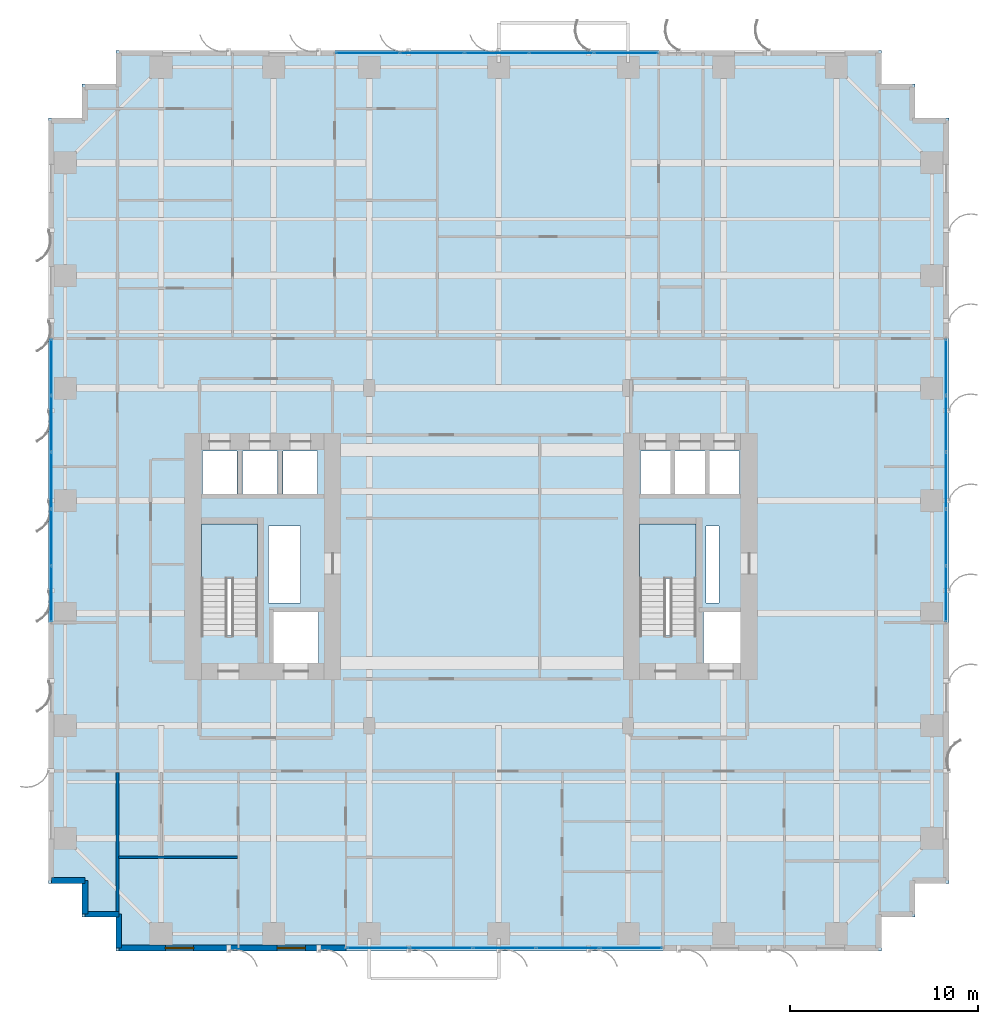
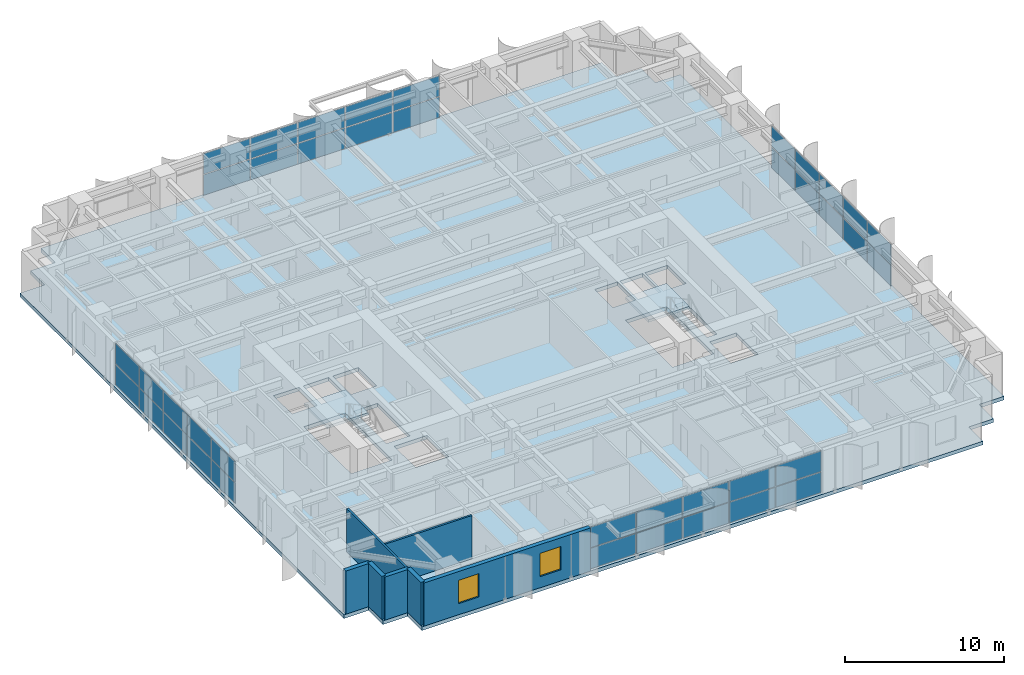
# One storey, part 16 of 25: 40 plates, 7 walls, 3 slabs, 2 windows, 2 openings, 6 elements without a shape of their own.
"""IFC4 building model written with IfcOpenShell, lengths in metres."""

from ifc_helpers import new_model, si_unit, direction, frame, frame_2d, origin, origin_2d, place, context, subcontext, project, spatial, polyline, rectangle, outline, extrude, source, transform, mapped, material, layer, layer_set, type_object, element, fill, aggregate, save


model = new_model("IFC4")

# Units and contexts
model_context = context("Model", 3, precision=1e-05, world=origin(), true_north=direction((0.0, 1.0)))
body_context = subcontext(model_context, "Body", "Model", "MODEL_VIEW")
ifc_project = project(units=[si_unit("LENGTHUNIT", "METRE"), si_unit("AREAUNIT", "SQUARE_METRE"), si_unit("VOLUMEUNIT", "CUBIC_METRE"), si_unit("PLANEANGLEUNIT", "RADIAN"), si_unit("MASSUNIT", "GRAM", prefix="KILO")], contexts=[model_context])

# Site, building, storey
site_placement = place(None, origin())
site = spatial("IfcSite", under=ifc_project, at=site_placement, CompositionType="ELEMENT")
building_placement = place(site_placement, origin())
building = spatial("IfcBuilding", under=site, at=building_placement, Name="Khoralis Quay Care Tower", CompositionType="ELEMENT")
storey_placement = place(building_placement, frame((0.0, 0.0, 65.699951171875)))
storey = spatial("IfcBuildingStorey", under=building, at=storey_placement, Name="L17", CompositionType="ELEMENT", Elevation=65.699951171875)

# Stair, slab
ifc_material_1 = material(Name="Precast concrete C45/55", Category="concrete")
stair_type = type_object("IfcStairType", Name="ST-TWR-DOGLEG-1400", PredefinedType="HALF_TURN_STAIR", material=ifc_material_1)
stair_1_placement = place(storey_placement, origin())
stair_1 = element("IfcStair", 1, at=stair_1_placement, inside=storey, type_object=stair_type, Name="L17 West Core Exit Stair ST-T1", PredefinedType="HALF_TURN_STAIR")
ifc_layer_1 = layer(ifc_material_1, 0.199951171875)
ifc_layer_set_1 = layer_set([ifc_layer_1], Name="Precast concrete C45/55")
slab_type_1 = type_object("IfcSlabType", Name="SLB-LANDING-200", PredefinedType="LANDING", material=ifc_layer_set_1)
slab_1_placement = place(storey_placement, frame((0.0, 0.0, 1.60009765625)))
slab_1 = element("IfcSlab", 2, at=slab_1_placement, type_object=slab_type_1, Name="ST-T1 landing 1", PredefinedType="LANDING", context=body_context, shape_type="SweptSolid", body=[
    extrude(outline(polyline([(11.14990234375, 19.840087890625), (11.14990234375, 22.75), (8.14990234375, 22.75), (8.14990234375, 19.840087890625), (11.14990234375, 19.840087890625)])), origin(), (0.0, 0.0, 1.0), 0.199951171875),
])
aggregate(stair_1, [slab_1])

stair_2_placement = place(storey_placement, origin())
stair_2 = element("IfcStair", 3, at=stair_2_placement, inside=storey, type_object=stair_type, Name="L17 East Core Exit Stair ST-T2", PredefinedType="HALF_TURN_STAIR")
slab_2_placement = place(storey_placement, frame((0.0, 0.0, 1.60009765625)))
slab_2 = element("IfcSlab", 4, at=slab_2_placement, type_object=slab_type_1, Name="ST-T2 landing 1", PredefinedType="LANDING", context=body_context, shape_type="SweptSolid", body=[
    extrude(outline(polyline([(34.52001953125, 19.840087890625), (34.52001953125, 22.75), (31.52001953125, 22.75), (31.52001953125, 19.840087890625), (34.52001953125, 19.840087890625)])), origin(), (0.0, 0.0, 1.0), 0.199951171875),
])
aggregate(stair_2, [slab_2])

# Slab
ifc_material_2 = material(Name="Concrete C40/50", Category="concrete")
ifc_layer_2 = layer(ifc_material_2, 0.280029296875)
ifc_layer_set_2 = layer_set([ifc_layer_2], Name="Concrete C40/50")
slab_type_2 = type_object("IfcSlabType", Name="SLB-TWR-280", PredefinedType="FLOOR", material=ifc_layer_set_2)
slab_3_placement = place(storey_placement, frame((0.0, 0.0, -0.280029296875)))
element("IfcSlab", 5, at=slab_3_placement, inside=storey, type_object=slab_type_2, Name="Tower Floor Slab L17", PredefinedType="FLOOR", context=body_context, shape_type="SweptSolid", body=[
    extrude(outline(polyline([(3.60009765625, 0.0), (44.39990234375, 0.0), (44.39990234375, 1.800048828125), (46.199951171875, 1.800048828125), (46.199951171875, 3.60009765625), (48.0, 3.60009765625), (48.0, 44.39990234375), (46.199951171875, 44.39990234375), (46.199951171875, 46.199951171875), (44.39990234375, 46.199951171875), (44.39990234375, 48.0), (3.60009765625, 48.0), (3.60009765625, 46.199951171875), (1.800048828125, 46.199951171875), (1.800048828125, 44.39990234375), (0.0, 44.39990234375), (0.0, 3.60009765625), (1.800048828125, 3.60009765625), (1.800048828125, 1.800048828125), (3.60009765625, 1.800048828125), (3.60009765625, 0.0)]), holes=[polyline([(11.14990234375, 16.800048828125), (11.14990234375, 22.75), (8.14990234375, 22.75), (8.14990234375, 16.800048828125), (11.14990234375, 16.800048828125)]), polyline([(34.52001953125, 16.800048828125), (34.52001953125, 22.75), (31.52001953125, 22.75), (31.52001953125, 16.800048828125), (34.52001953125, 16.800048828125)]), polyline([(12.0, 15.35009765625), (14.39990234375, 15.35009765625), (14.39990234375, 18.050048828125), (12.0, 18.050048828125), (12.0, 15.35009765625)]), polyline([(34.919921875, 15.35009765625), (36.8798828125, 15.35009765625), (36.8798828125, 18.050048828125), (34.919921875, 18.050048828125), (34.919921875, 15.35009765625)]), polyline([(8.199951171875, 24.35009765625), (10.050048828125, 24.35009765625), (10.050048828125, 26.64990234375), (8.199951171875, 26.64990234375), (8.199951171875, 24.35009765625)]), polyline([(31.550048828125, 24.35009765625), (33.199951171875, 24.35009765625), (33.199951171875, 26.64990234375), (31.550048828125, 26.64990234375), (31.550048828125, 24.35009765625)]), polyline([(10.35009765625, 24.35009765625), (12.199951171875, 24.35009765625), (12.199951171875, 26.64990234375), (10.35009765625, 26.64990234375), (10.35009765625, 24.35009765625)]), polyline([(33.3798828125, 24.35009765625), (35.030029296875, 24.35009765625), (35.030029296875, 26.64990234375), (33.3798828125, 26.64990234375), (33.3798828125, 24.35009765625)]), polyline([(12.5, 24.35009765625), (14.35009765625, 24.35009765625), (14.35009765625, 26.64990234375), (12.5, 26.64990234375), (12.5, 24.35009765625)]), polyline([(35.199951171875, 24.35009765625), (36.85009765625, 24.35009765625), (36.85009765625, 26.64990234375), (35.199951171875, 26.64990234375), (35.199951171875, 24.35009765625)]), polyline([(11.719970703125, 18.550048828125), (13.449951171875, 18.550048828125), (13.449951171875, 22.64990234375), (11.719970703125, 22.64990234375), (11.719970703125, 18.550048828125)]), polyline([(35.050048828125, 18.550048828125), (35.75, 18.550048828125), (35.75, 22.64990234375), (35.050048828125, 22.64990234375), (35.050048828125, 18.550048828125)])]), origin(), (0.0, 0.0, 1.0), 0.280029296875),
])

# Curtain wall, plates
ifc_material_3 = material(Name="Pale anodised aluminium", Category="aluminium")
ifc_layer_3 = layer(ifc_material_3, 0.179931640625)
ifc_layer_set_3 = layer_set([ifc_layer_3], Name="Pale anodised aluminium")
curtain_wall_type = type_object("IfcCurtainWallType", Name="CW-SYS-Z1", PredefinedType="NOTDEFINED", material=ifc_layer_set_3)
curtain_wall_1_placement = place(storey_placement, origin())
curtain_wall_1 = element("IfcCurtainWall", 6, at=curtain_wall_1_placement, inside=storey, type_object=curtain_wall_type, Name="L17 Unitised Curtain Wall CW-L17-P1-E5", PredefinedType="NOTDEFINED")
ifc_material_4 = material(Name="Low-E solar-control double glazing", Category="glass")
ifc_layer_4 = layer(ifc_material_4, 0.031982421875)
ifc_layer_set_4 = layer_set([ifc_layer_4], Name="Low-E solar-control double glazing")
plate_type = type_object("IfcPlateType", Name="PNL-VIS-32", PredefinedType="CURTAIN_PANEL", material=ifc_layer_set_4)
shared_shape_1 = source(origin(), body_context, "Body", "SweptSolid", [
    extrude(rectangle(XDim=2.93798828125, YDim=0.028076171875, at=origin_2d()), origin(), (0.0, 0.0, 1.0), 1.570068359375),
])
plate_1_placement = place(storey_placement, frame((47.85009765625, 19.029052734375, 0.06005859375), z_axis=(0.0, 0.0, 1.0), x_axis=(0.0, 1.0, 0.0)))
plate_1 = element("IfcPlate", 7, at=plate_1_placement, type_object=plate_type, Name="CW1 panel 1.1", PredefinedType="CURTAIN_PANEL", context=body_context, shape_type="MappedRepresentation", body=[
    mapped(shared_shape_1, transform((0.0, 0.0, 0.0), scale=1.0)),
])
plate_2_placement = place(storey_placement, frame((47.85009765625, 19.029052734375, 1.68994140625), z_axis=(0.0, 0.0, 1.0), x_axis=(0.0, 1.0, 0.0)))
plate_2 = element("IfcPlate", 8, at=plate_2_placement, type_object=plate_type, Name="CW1 panel 1.2", PredefinedType="CURTAIN_PANEL", context=body_context, shape_type="MappedRepresentation", body=[
    mapped(shared_shape_1, transform((0.0, 0.0, 0.0), scale=1.0)),
])
plate_3_placement = place(storey_placement, frame((47.85009765625, 31.111083984375, 0.06005859375), z_axis=(0.0, 0.0, 1.0), x_axis=(0.0, 1.0, 0.0)))
plate_3 = element("IfcPlate", 9, at=plate_3_placement, type_object=plate_type, Name="CW1 panel 5.1", PredefinedType="CURTAIN_PANEL", context=body_context, shape_type="MappedRepresentation", body=[
    mapped(shared_shape_1, transform((0.0, 0.0, 0.0), scale=1.0)),
])
plate_4_placement = place(storey_placement, frame((47.85009765625, 31.111083984375, 1.68994140625), z_axis=(0.0, 0.0, 1.0), x_axis=(0.0, 1.0, 0.0)))
plate_4 = element("IfcPlate", 10, at=plate_4_placement, type_object=plate_type, Name="CW1 panel 5.2", PredefinedType="CURTAIN_PANEL", context=body_context, shape_type="MappedRepresentation", body=[
    mapped(shared_shape_1, transform((0.0, 0.0, 0.0), scale=1.0)),
])

curtain_wall_2_placement = place(storey_placement, origin())
curtain_wall_2 = element("IfcCurtainWall", 11, at=curtain_wall_2_placement, inside=storey, type_object=curtain_wall_type, Name="L17 Unitised Curtain Wall CW-L17-P1-E15", PredefinedType="NOTDEFINED")
plate_5_placement = place(storey_placement, frame((0.14990234375, 31.111083984375, 0.06005859375), z_axis=(0.0, 0.0, 1.0), x_axis=(0.0, -1.0, 0.0)))
plate_5 = element("IfcPlate", 12, at=plate_5_placement, type_object=plate_type, Name="CW1 panel 1.1", PredefinedType="CURTAIN_PANEL", context=body_context, shape_type="MappedRepresentation", body=[
    mapped(shared_shape_1, transform((0.0, 0.0, 0.0), scale=1.0)),
])
plate_6_placement = place(storey_placement, frame((0.14990234375, 31.111083984375, 1.68994140625), z_axis=(0.0, 0.0, 1.0), x_axis=(0.0, -1.0, 0.0)))
plate_6 = element("IfcPlate", 13, at=plate_6_placement, type_object=plate_type, Name="CW1 panel 1.2", PredefinedType="CURTAIN_PANEL", context=body_context, shape_type="MappedRepresentation", body=[
    mapped(shared_shape_1, transform((0.0, 0.0, 0.0), scale=1.0)),
])
plate_7_placement = place(storey_placement, frame((0.14990234375, 19.029052734375, 0.06005859375), z_axis=(0.0, 0.0, 1.0), x_axis=(0.0, -1.0, 0.0)))
plate_7 = element("IfcPlate", 14, at=plate_7_placement, type_object=plate_type, Name="CW1 panel 5.1", PredefinedType="CURTAIN_PANEL", context=body_context, shape_type="MappedRepresentation", body=[
    mapped(shared_shape_1, transform((0.0, 0.0, 0.0), scale=1.0)),
])
plate_8_placement = place(storey_placement, frame((0.14990234375, 19.029052734375, 1.68994140625), z_axis=(0.0, 0.0, 1.0), x_axis=(0.0, -1.0, 0.0)))
plate_8 = element("IfcPlate", 15, at=plate_8_placement, type_object=plate_type, Name="CW1 panel 5.2", PredefinedType="CURTAIN_PANEL", context=body_context, shape_type="MappedRepresentation", body=[
    mapped(shared_shape_1, transform((0.0, 0.0, 0.0), scale=1.0)),
])

# Plate
shared_shape_2 = source(origin(), body_context, "Body", "SweptSolid", [
    extrude(rectangle(XDim=2.968017578125, YDim=0.028076171875, at=origin_2d()), origin(), (0.0, 0.0, 1.0), 1.570068359375),
])
plate_9_placement = place(storey_placement, frame((47.85009765625, 22.0419921875, 0.06005859375), z_axis=(0.0, 0.0, 1.0), x_axis=(0.0, 1.0, 0.0)))
plate_9 = element("IfcPlate", 16, at=plate_9_placement, type_object=plate_type, Name="CW1 panel 2.1", PredefinedType="CURTAIN_PANEL", context=body_context, shape_type="MappedRepresentation", body=[
    mapped(shared_shape_2, transform((0.0, 0.0, 0.0), scale=1.0)),
])

plate_10_placement = place(storey_placement, frame((47.85009765625, 22.0419921875, 1.68994140625), z_axis=(0.0, 0.0, 1.0), x_axis=(0.0, 1.0, 0.0)))
plate_10 = element("IfcPlate", 17, at=plate_10_placement, type_object=plate_type, Name="CW1 panel 2.2", PredefinedType="CURTAIN_PANEL", context=body_context, shape_type="MappedRepresentation", body=[
    mapped(shared_shape_2, transform((0.0, 0.0, 0.0), scale=1.0)),
])

plate_11_placement = place(storey_placement, frame((47.85009765625, 25.070068359375, 0.06005859375), z_axis=(0.0, 0.0, 1.0), x_axis=(0.0, 1.0, 0.0)))
plate_11 = element("IfcPlate", 18, at=plate_11_placement, type_object=plate_type, Name="CW1 panel 3.1", PredefinedType="CURTAIN_PANEL", context=body_context, shape_type="MappedRepresentation", body=[
    mapped(shared_shape_2, transform((0.0, 0.0, 0.0), scale=1.0)),
])

plate_12_placement = place(storey_placement, frame((47.85009765625, 25.070068359375, 1.68994140625), z_axis=(0.0, 0.0, 1.0), x_axis=(0.0, 1.0, 0.0)))
plate_12 = element("IfcPlate", 19, at=plate_12_placement, type_object=plate_type, Name="CW1 panel 3.2", PredefinedType="CURTAIN_PANEL", context=body_context, shape_type="MappedRepresentation", body=[
    mapped(shared_shape_2, transform((0.0, 0.0, 0.0), scale=1.0)),
])

plate_13_placement = place(storey_placement, frame((47.85009765625, 28.097900390625, 0.06005859375), z_axis=(0.0, 0.0, 1.0), x_axis=(0.0, 1.0, 0.0)))
plate_13 = element("IfcPlate", 20, at=plate_13_placement, type_object=plate_type, Name="CW1 panel 4.1", PredefinedType="CURTAIN_PANEL", context=body_context, shape_type="MappedRepresentation", body=[
    mapped(shared_shape_2, transform((0.0, 0.0, 0.0), scale=1.0)),
])

plate_14_placement = place(storey_placement, frame((47.85009765625, 28.097900390625, 1.68994140625), z_axis=(0.0, 0.0, 1.0), x_axis=(0.0, 1.0, 0.0)))
plate_14 = element("IfcPlate", 21, at=plate_14_placement, type_object=plate_type, Name="CW1 panel 4.2", PredefinedType="CURTAIN_PANEL", context=body_context, shape_type="MappedRepresentation", body=[
    mapped(shared_shape_2, transform((0.0, 0.0, 0.0), scale=1.0)),
])

aggregate(curtain_wall_1, [plate_1, plate_2, plate_9, plate_10, plate_11, plate_12, plate_13, plate_14, plate_3, plate_4])

plate_15_placement = place(storey_placement, frame((0.14990234375, 28.097900390625, 0.06005859375), z_axis=(0.0, 0.0, 1.0), x_axis=(0.0, -1.0, 0.0)))
plate_15 = element("IfcPlate", 22, at=plate_15_placement, type_object=plate_type, Name="CW1 panel 2.1", PredefinedType="CURTAIN_PANEL", context=body_context, shape_type="MappedRepresentation", body=[
    mapped(shared_shape_2, transform((0.0, 0.0, 0.0), scale=1.0)),
])

plate_16_placement = place(storey_placement, frame((0.14990234375, 28.097900390625, 1.68994140625), z_axis=(0.0, 0.0, 1.0), x_axis=(0.0, -1.0, 0.0)))
plate_16 = element("IfcPlate", 23, at=plate_16_placement, type_object=plate_type, Name="CW1 panel 2.2", PredefinedType="CURTAIN_PANEL", context=body_context, shape_type="MappedRepresentation", body=[
    mapped(shared_shape_2, transform((0.0, 0.0, 0.0), scale=1.0)),
])

plate_17_placement = place(storey_placement, frame((0.14990234375, 25.070068359375, 0.06005859375), z_axis=(0.0, 0.0, 1.0), x_axis=(0.0, -1.0, 0.0)))
plate_17 = element("IfcPlate", 24, at=plate_17_placement, type_object=plate_type, Name="CW1 panel 3.1", PredefinedType="CURTAIN_PANEL", context=body_context, shape_type="MappedRepresentation", body=[
    mapped(shared_shape_2, transform((0.0, 0.0, 0.0), scale=1.0)),
])

plate_18_placement = place(storey_placement, frame((0.14990234375, 25.070068359375, 1.68994140625), z_axis=(0.0, 0.0, 1.0), x_axis=(0.0, -1.0, 0.0)))
plate_18 = element("IfcPlate", 25, at=plate_18_placement, type_object=plate_type, Name="CW1 panel 3.2", PredefinedType="CURTAIN_PANEL", context=body_context, shape_type="MappedRepresentation", body=[
    mapped(shared_shape_2, transform((0.0, 0.0, 0.0), scale=1.0)),
])

plate_19_placement = place(storey_placement, frame((0.14990234375, 22.0419921875, 0.06005859375), z_axis=(0.0, 0.0, 1.0), x_axis=(0.0, -1.0, 0.0)))
plate_19 = element("IfcPlate", 26, at=plate_19_placement, type_object=plate_type, Name="CW1 panel 4.1", PredefinedType="CURTAIN_PANEL", context=body_context, shape_type="MappedRepresentation", body=[
    mapped(shared_shape_2, transform((0.0, 0.0, 0.0), scale=1.0)),
])

plate_20_placement = place(storey_placement, frame((0.14990234375, 22.0419921875, 1.68994140625), z_axis=(0.0, 0.0, 1.0), x_axis=(0.0, -1.0, 0.0)))
plate_20 = element("IfcPlate", 27, at=plate_20_placement, type_object=plate_type, Name="CW1 panel 4.2", PredefinedType="CURTAIN_PANEL", context=body_context, shape_type="MappedRepresentation", body=[
    mapped(shared_shape_2, transform((0.0, 0.0, 0.0), scale=1.0)),
])

aggregate(curtain_wall_2, [plate_5, plate_6, plate_15, plate_16, plate_17, plate_18, plate_19, plate_20, plate_7, plate_8])

# Curtain wall, plates
curtain_wall_3_placement = place(storey_placement, origin())
curtain_wall_3 = element("IfcCurtainWall", 28, at=curtain_wall_3_placement, inside=storey, type_object=curtain_wall_type, Name="L17 Unitised Curtain Wall CW-L17-P1-E0", PredefinedType="NOTDEFINED")
shared_shape_3 = source(origin(), body_context, "Body", "SweptSolid", [
    extrude(rectangle(XDim=3.290283203125, YDim=0.028076171875, at=origin_2d()), origin(), (0.0, 0.0, 1.0), 1.570068359375),
])
plate_21_placement = place(storey_placement, frame((17.564208984375, 0.14990234375, 0.06005859375), z_axis=(0.0, 0.0, 1.0), x_axis=(1.0, 0.0, 0.0)))
plate_21 = element("IfcPlate", 29, at=plate_21_placement, type_object=plate_type, Name="CW1 panel 1.1", PredefinedType="CURTAIN_PANEL", context=body_context, shape_type="MappedRepresentation", body=[
    mapped(shared_shape_3, transform((0.0, 0.0, 0.0), scale=1.0)),
])
plate_22_placement = place(storey_placement, frame((17.564208984375, 0.14990234375, 1.68994140625), z_axis=(0.0, 0.0, 1.0), x_axis=(1.0, 0.0, 0.0)))
plate_22 = element("IfcPlate", 30, at=plate_22_placement, type_object=plate_type, Name="CW1 panel 1.2", PredefinedType="CURTAIN_PANEL", context=body_context, shape_type="MappedRepresentation", body=[
    mapped(shared_shape_3, transform((0.0, 0.0, 0.0), scale=1.0)),
])
plate_23_placement = place(storey_placement, frame((31.054931640625, 0.14990234375, 0.06005859375), z_axis=(0.0, 0.0, 1.0), x_axis=(1.0, 0.0, 0.0)))
plate_23 = element("IfcPlate", 31, at=plate_23_placement, type_object=plate_type, Name="CW1 panel 5.1", PredefinedType="CURTAIN_PANEL", context=body_context, shape_type="MappedRepresentation", body=[
    mapped(shared_shape_3, transform((0.0, 0.0, 0.0), scale=1.0)),
])
plate_24_placement = place(storey_placement, frame((31.054931640625, 0.14990234375, 1.68994140625), z_axis=(0.0, 0.0, 1.0), x_axis=(1.0, 0.0, 0.0)))
plate_24 = element("IfcPlate", 32, at=plate_24_placement, type_object=plate_type, Name="CW1 panel 5.2", PredefinedType="CURTAIN_PANEL", context=body_context, shape_type="MappedRepresentation", body=[
    mapped(shared_shape_3, transform((0.0, 0.0, 0.0), scale=1.0)),
])
shared_shape_4 = source(origin(), body_context, "Body", "SweptSolid", [
    extrude(rectangle(XDim=3.3203125, YDim=0.028076171875, at=origin_2d()), origin(), (0.0, 0.0, 1.0), 1.570068359375),
])
plate_25_placement = place(storey_placement, frame((20.92919921875, 0.14990234375, 0.06005859375), z_axis=(0.0, 0.0, 1.0), x_axis=(1.0, 0.0, 0.0)))
plate_25 = element("IfcPlate", 33, at=plate_25_placement, type_object=plate_type, Name="CW1 panel 2.1", PredefinedType="CURTAIN_PANEL", context=body_context, shape_type="MappedRepresentation", body=[
    mapped(shared_shape_4, transform((0.0, 0.0, 0.0), scale=1.0)),
])
plate_26_placement = place(storey_placement, frame((20.92919921875, 0.14990234375, 1.68994140625), z_axis=(0.0, 0.0, 1.0), x_axis=(1.0, 0.0, 0.0)))
plate_26 = element("IfcPlate", 34, at=plate_26_placement, type_object=plate_type, Name="CW1 panel 2.2", PredefinedType="CURTAIN_PANEL", context=body_context, shape_type="MappedRepresentation", body=[
    mapped(shared_shape_4, transform((0.0, 0.0, 0.0), scale=1.0)),
])
plate_27_placement = place(storey_placement, frame((24.3095703125, 0.14990234375, 0.06005859375), z_axis=(0.0, 0.0, 1.0), x_axis=(1.0, 0.0, 0.0)))
plate_27 = element("IfcPlate", 35, at=plate_27_placement, type_object=plate_type, Name="CW1 panel 3.1", PredefinedType="CURTAIN_PANEL", context=body_context, shape_type="MappedRepresentation", body=[
    mapped(shared_shape_4, transform((0.0, 0.0, 0.0), scale=1.0)),
])
plate_28_placement = place(storey_placement, frame((24.3095703125, 0.14990234375, 1.68994140625), z_axis=(0.0, 0.0, 1.0), x_axis=(1.0, 0.0, 0.0)))
plate_28 = element("IfcPlate", 36, at=plate_28_placement, type_object=plate_type, Name="CW1 panel 3.2", PredefinedType="CURTAIN_PANEL", context=body_context, shape_type="MappedRepresentation", body=[
    mapped(shared_shape_4, transform((0.0, 0.0, 0.0), scale=1.0)),
])
plate_29_placement = place(storey_placement, frame((27.689697265625, 0.14990234375, 0.06005859375), z_axis=(0.0, 0.0, 1.0), x_axis=(1.0, 0.0, 0.0)))
plate_29 = element("IfcPlate", 37, at=plate_29_placement, type_object=plate_type, Name="CW1 panel 4.1", PredefinedType="CURTAIN_PANEL", context=body_context, shape_type="MappedRepresentation", body=[
    mapped(shared_shape_4, transform((0.0, 0.0, 0.0), scale=1.0)),
])
plate_30_placement = place(storey_placement, frame((27.689697265625, 0.14990234375, 1.68994140625), z_axis=(0.0, 0.0, 1.0), x_axis=(1.0, 0.0, 0.0)))
plate_30 = element("IfcPlate", 38, at=plate_30_placement, type_object=plate_type, Name="CW1 panel 4.2", PredefinedType="CURTAIN_PANEL", context=body_context, shape_type="MappedRepresentation", body=[
    mapped(shared_shape_4, transform((0.0, 0.0, 0.0), scale=1.0)),
])
aggregate(curtain_wall_3, [plate_21, plate_22, plate_25, plate_26, plate_27, plate_28, plate_29, plate_30, plate_23, plate_24])

curtain_wall_4_placement = place(storey_placement, origin())
curtain_wall_4 = element("IfcCurtainWall", 39, at=curtain_wall_4_placement, inside=storey, type_object=curtain_wall_type, Name="L17 Unitised Curtain Wall CW-L17-P1-E10", PredefinedType="NOTDEFINED")
shared_shape_5 = source(origin(), body_context, "Body", "SweptSolid", [
    extrude(rectangle(XDim=3.36328125, YDim=0.028076171875, at=origin_2d()), origin(), (0.0, 0.0, 1.0), 1.570068359375),
])
plate_31_placement = place(storey_placement, frame((30.79833984375, 47.85009765625, 0.06005859375), z_axis=(0.0, 0.0, 1.0), x_axis=(-1.0, 0.0, 0.0)))
plate_31 = element("IfcPlate", 40, at=plate_31_placement, type_object=plate_type, Name="CW1 panel 1.1", PredefinedType="CURTAIN_PANEL", context=body_context, shape_type="MappedRepresentation", body=[
    mapped(shared_shape_5, transform((0.0, 0.0, 0.0), scale=1.0)),
])
plate_32_placement = place(storey_placement, frame((30.79833984375, 47.85009765625, 1.68994140625), z_axis=(0.0, 0.0, 1.0), x_axis=(-1.0, 0.0, 0.0)))
plate_32 = element("IfcPlate", 41, at=plate_32_placement, type_object=plate_type, Name="CW1 panel 1.2", PredefinedType="CURTAIN_PANEL", context=body_context, shape_type="MappedRepresentation", body=[
    mapped(shared_shape_5, transform((0.0, 0.0, 0.0), scale=1.0)),
])
plate_33_placement = place(storey_placement, frame((17.015625, 47.85009765625, 0.06005859375), z_axis=(0.0, 0.0, 1.0), x_axis=(-1.0, 0.0, 0.0)))
plate_33 = element("IfcPlate", 42, at=plate_33_placement, type_object=plate_type, Name="CW1 panel 5.1", PredefinedType="CURTAIN_PANEL", context=body_context, shape_type="MappedRepresentation", body=[
    mapped(shared_shape_5, transform((0.0, 0.0, 0.0), scale=1.0)),
])
plate_34_placement = place(storey_placement, frame((17.015625, 47.85009765625, 1.68994140625), z_axis=(0.0, 0.0, 1.0), x_axis=(-1.0, 0.0, 0.0)))
plate_34 = element("IfcPlate", 43, at=plate_34_placement, type_object=plate_type, Name="CW1 panel 5.2", PredefinedType="CURTAIN_PANEL", context=body_context, shape_type="MappedRepresentation", body=[
    mapped(shared_shape_5, transform((0.0, 0.0, 0.0), scale=1.0)),
])
shared_shape_6 = source(origin(), body_context, "Body", "SweptSolid", [
    extrude(rectangle(XDim=3.393310546875, YDim=0.028076171875, at=origin_2d()), origin(), (0.0, 0.0, 1.0), 1.570068359375),
])
plate_35_placement = place(storey_placement, frame((27.360107421875, 47.85009765625, 0.06005859375), z_axis=(0.0, 0.0, 1.0), x_axis=(-1.0, 0.0, 0.0)))
plate_35 = element("IfcPlate", 44, at=plate_35_placement, type_object=plate_type, Name="CW1 panel 2.1", PredefinedType="CURTAIN_PANEL", context=body_context, shape_type="MappedRepresentation", body=[
    mapped(shared_shape_6, transform((0.0, 0.0, 0.0), scale=1.0)),
])
plate_36_placement = place(storey_placement, frame((27.360107421875, 47.85009765625, 1.68994140625), z_axis=(0.0, 0.0, 1.0), x_axis=(-1.0, 0.0, 0.0)))
plate_36 = element("IfcPlate", 45, at=plate_36_placement, type_object=plate_type, Name="CW1 panel 2.2", PredefinedType="CURTAIN_PANEL", context=body_context, shape_type="MappedRepresentation", body=[
    mapped(shared_shape_6, transform((0.0, 0.0, 0.0), scale=1.0)),
])
plate_37_placement = place(storey_placement, frame((23.906982421875, 47.85009765625, 0.06005859375), z_axis=(0.0, 0.0, 1.0), x_axis=(-1.0, 0.0, 0.0)))
plate_37 = element("IfcPlate", 46, at=plate_37_placement, type_object=plate_type, Name="CW1 panel 3.1", PredefinedType="CURTAIN_PANEL", context=body_context, shape_type="MappedRepresentation", body=[
    mapped(shared_shape_6, transform((0.0, 0.0, 0.0), scale=1.0)),
])
plate_38_placement = place(storey_placement, frame((23.906982421875, 47.85009765625, 1.68994140625), z_axis=(0.0, 0.0, 1.0), x_axis=(-1.0, 0.0, 0.0)))
plate_38 = element("IfcPlate", 47, at=plate_38_placement, type_object=plate_type, Name="CW1 panel 3.2", PredefinedType="CURTAIN_PANEL", context=body_context, shape_type="MappedRepresentation", body=[
    mapped(shared_shape_6, transform((0.0, 0.0, 0.0), scale=1.0)),
])
plate_39_placement = place(storey_placement, frame((20.453857421875, 47.85009765625, 0.06005859375), z_axis=(0.0, 0.0, 1.0), x_axis=(-1.0, 0.0, 0.0)))
plate_39 = element("IfcPlate", 48, at=plate_39_placement, type_object=plate_type, Name="CW1 panel 4.1", PredefinedType="CURTAIN_PANEL", context=body_context, shape_type="MappedRepresentation", body=[
    mapped(shared_shape_6, transform((0.0, 0.0, 0.0), scale=1.0)),
])
plate_40_placement = place(storey_placement, frame((20.453857421875, 47.85009765625, 1.68994140625), z_axis=(0.0, 0.0, 1.0), x_axis=(-1.0, 0.0, 0.0)))
plate_40 = element("IfcPlate", 49, at=plate_40_placement, type_object=plate_type, Name="CW1 panel 4.2", PredefinedType="CURTAIN_PANEL", context=body_context, shape_type="MappedRepresentation", body=[
    mapped(shared_shape_6, transform((0.0, 0.0, 0.0), scale=1.0)),
])
aggregate(curtain_wall_4, [plate_31, plate_32, plate_35, plate_36, plate_37, plate_38, plate_39, plate_40, plate_33, plate_34])

# Wall, openings, windows
ifc_layer_5 = layer(ifc_material_1, 0.300048828125)
ifc_layer_set_5 = layer_set([ifc_layer_5], Name="Precast concrete C45/55")
wall_type_1 = type_object("IfcWallType", Name="WL-EXT-REF-300", PredefinedType="SOLIDWALL", material=ifc_layer_set_5)
wall_1_placement = place(storey_placement, frame((3.75, 0.14990234375, 0.0), z_axis=(0.0, 0.0, 1.0), x_axis=(1.0, 0.0, 0.0)))
wall_1 = element("IfcWall", 50, at=wall_1_placement, inside=storey, type_object=wall_type_1, Name="L17 External Facade Wall WL-EXT-L17-P1-E0A", PredefinedType="SOLIDWALL", context=body_context, shape_type="SweptSolid", body=[
    extrude(rectangle(XDim=12.10888671875, YDim=0.300048828125, at=frame_2d((6.054443359375, 0.0))), origin(), (0.0, 0.0, 1.0), 3.320068359375),
])
opening_1_placement = place(wall_1_placement, frame((2.489013671875, 0.0, 0.85009765625)))
opening_1 = element("IfcOpeningElement", 51, at=opening_1_placement, cuts=wall_1, Name="Opening W3", PredefinedType="OPENING", context=body_context, shape_type="SweptSolid", body=[
    extrude(rectangle(XDim=1.5, YDim=1.800048828125, at=frame_2d((0.75, 0.89990234375))), frame((0.0, 0.16015625, 0.0), z_axis=(0.0, -1.0, 0.0), x_axis=(1.0, 0.0, 0.0)), (0.0, 0.0, 1.0), 0.320068359375),
])
opening_2_placement = place(wall_1_placement, frame((8.443603515625, 0.0, 0.85009765625)))
opening_2 = element("IfcOpeningElement", 52, at=opening_2_placement, cuts=wall_1, Name="Opening W3", PredefinedType="OPENING", context=body_context, shape_type="SweptSolid", body=[
    extrude(rectangle(XDim=1.5, YDim=1.800048828125, at=frame_2d((0.75, 0.89990234375))), frame((0.0, 0.16015625, 0.0), z_axis=(0.0, -1.0, 0.0), x_axis=(1.0, 0.0, 0.0)), (0.0, 0.0, 1.0), 0.320068359375),
])
window_type = type_object("IfcWindowType", Name="WN-CLIN-1500X1800", PartitioningType="SINGLE_PANEL", PredefinedType="WINDOW", material=ifc_material_4)
shared_shape_7 = source(origin(), body_context, "Body", "SweptSolid", [
    extrude(rectangle(XDim=1.5, YDim=1.800048828125, at=frame_2d((0.75, 0.89990234375))), frame((0.0, 0.030029296875, 0.0), z_axis=(0.0, -1.0, 0.0), x_axis=(1.0, 0.0, 0.0)), (0.0, 0.0, 1.0), 0.06005859375),
])
window_1_placement = place(opening_1_placement, origin())
window_1 = element("IfcWindow", 53, at=window_1_placement, inside=storey, type_object=window_type, Name="WN-L17-P1-E0A Facade Window 01", OverallHeight=1.800048828125, OverallWidth=1.5, PartitioningType="SINGLE_PANEL", PredefinedType="WINDOW", context=body_context, shape_type="MappedRepresentation", body=[
    mapped(shared_shape_7, transform((0.0, 0.0, 0.0), scale=1.0)),
])
fill(opening_1, window_1)
window_2_placement = place(opening_2_placement, origin())
window_2 = element("IfcWindow", 54, at=window_2_placement, inside=storey, type_object=window_type, Name="WN-L17-P1-E0A Facade Window 02", OverallHeight=1.800048828125, OverallWidth=1.5, PartitioningType="SINGLE_PANEL", PredefinedType="WINDOW", context=body_context, shape_type="MappedRepresentation", body=[
    mapped(shared_shape_7, transform((0.0, 0.0, 0.0), scale=1.0)),
])
fill(opening_2, window_2)

# Walls
for number, where, z_axis, x_axis, name in (
    (55, (0.14990234375, 3.75, 0.0), (0.0, 0.0, 1.0), (1.0, 0.0, 0.0), "L17 External Facade Wall WL-EXT-L17-P1-C16"),
    (56, (1.949951171875, 3.75, 0.0), (0.0, 0.0, 1.0), (0.0, -1.0, 0.0), "L17 External Facade Wall WL-EXT-L17-P1-C17"),
    (57, (1.949951171875, 1.949951171875, 0.0), (0.0, 0.0, 1.0), (1.0, 0.0, 0.0), "L17 External Facade Wall WL-EXT-L17-P1-C18"),
    (58, (3.75, 1.949951171875, 0.0), (0.0, 0.0, 1.0), (0.0, -1.0, 0.0), "L17 External Facade Wall WL-EXT-L17-P1-C19"),
):
    element("IfcWall", number, at=place(storey_placement, frame(where, z_axis=z_axis, x_axis=x_axis)), inside=storey, type_object=wall_type_1, Name=name, PredefinedType="SOLIDWALL", context=body_context, shape_type="SweptSolid", body=[
        extrude(rectangle(XDim=1.800048828125, YDim=0.300048828125, at=frame_2d((0.89990234375, 0.0))), origin(), (0.0, 0.0, 1.0), 3.320068359375),
    ])
ifc_material_5 = material(Name="Moisture-resistant gypsum and ceramic tile")
ifc_layer_6 = layer(ifc_material_5, 0.280029296875)
ifc_layer_set_6 = layer_set([ifc_layer_6], Name="Moisture-resistant gypsum and ceramic tile")
wall_type_2 = type_object("IfcWallType", Name="WL-PLUMB-280", PredefinedType="PLUMBINGWALL", material=ifc_layer_set_6)
wall_2_placement = place(storey_placement, frame((3.7451171875, 4.98193359375, 0.0), z_axis=(0.0, 0.0, 1.0), x_axis=(1.0, 0.0, 0.0)))
element("IfcWall", 59, at=wall_2_placement, inside=storey, type_object=wall_type_2, Name="L17 2BR 0 Left Split", PredefinedType="PLUMBINGWALL", context=body_context, shape_type="SweptSolid", body=[
    extrude(rectangle(XDim=6.330322265625, YDim=0.139892578125, at=frame_2d((3.1650390625, 0.0))), origin(), (0.0, 0.0, 1.0), 3.320068359375),
])
ifc_material_6 = material(Name="Gypsum plasterboard on acoustic metal stud")
ifc_layer_7 = layer(ifc_material_6, 0.139892578125)
ifc_layer_set_7 = layer_set([ifc_layer_7], Name="Gypsum plasterboard on acoustic metal stud")
wall_type_3 = type_object("IfcWallType", Name="WL-UNIT-140", PredefinedType="PARTITIONING", material=ifc_layer_set_7)
wall_3_placement = place(storey_placement, frame((3.679931640625, 1.945068359375, 0.0), z_axis=(0.0, 0.0, 1.0), x_axis=(0.0, 1.0, 0.0)))
element("IfcWall", 60, at=wall_3_placement, inside=storey, type_object=wall_type_3, Name="L17 SB Demising Wall 0", PredefinedType="PARTITIONING", context=body_context, shape_type="SweptSolid", body=[
    extrude(rectangle(XDim=7.557373046875, YDim=0.139892578125, at=frame_2d((3.77880859375, 0.0))), origin(), (0.0, 0.0, 1.0), 3.320068359375),
])

save(model, "model.ifc")
